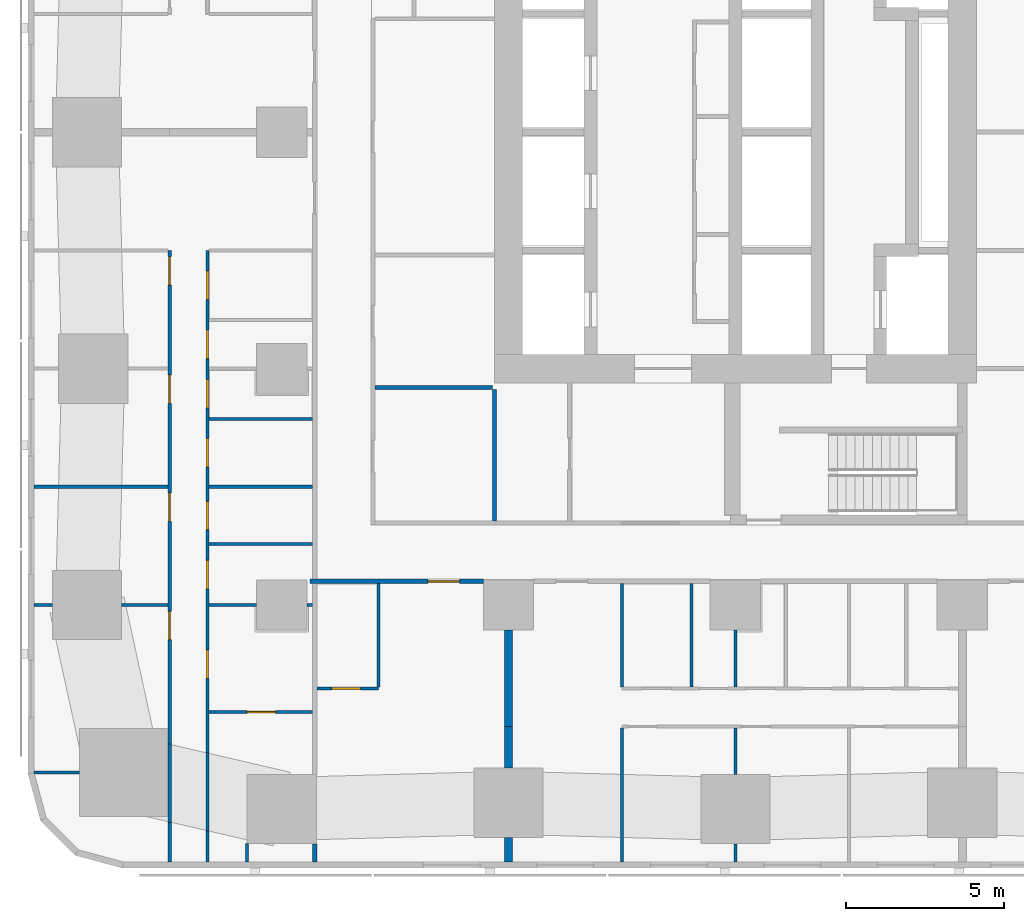
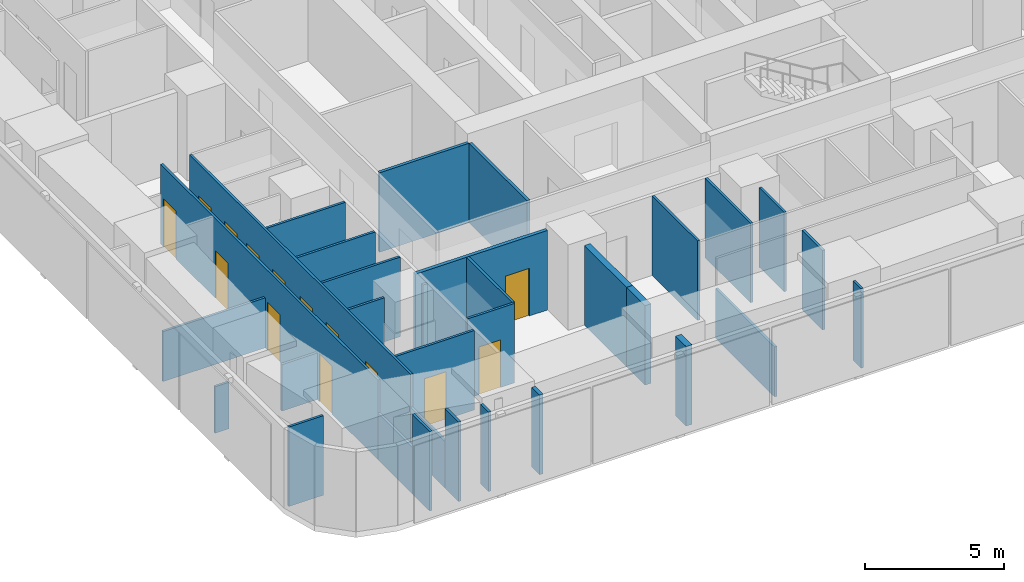
# One storey, part 2 of 15: 32 walls, 14 doors, 14 openings.
"""IFC4 building model written with IfcOpenShell, lengths in metres."""

from ifc_helpers import new_model, si_unit, direction, frame, frame_2d, origin, place, context, subcontext, project, spatial, rectangle, extrude, material, layer, layer_set, type_object, element, fill, save


model = new_model("IFC4")

# Units and contexts
model_context = context("Model", 3, precision=1e-05, world=origin(), true_north=direction((0.0, 1.0)))
body_context = subcontext(model_context, "Body", "Model", "MODEL_VIEW")
ifc_project = project(units=[si_unit("LENGTHUNIT", "METRE"), si_unit("AREAUNIT", "SQUARE_METRE"), si_unit("VOLUMEUNIT", "CUBIC_METRE"), si_unit("PLANEANGLEUNIT", "RADIAN"), si_unit("MASSUNIT", "GRAM", prefix="KILO")], contexts=[model_context])

# Site, building, storey
site_placement = place(None, origin())
site = spatial("IfcSite", under=ifc_project, at=site_placement, CompositionType="ELEMENT")
building_placement = place(site_placement, origin())
building = spatial("IfcBuilding", under=site, at=building_placement, Name="Sheger Commons Tower", CompositionType="ELEMENT")
storey_placement = place(building_placement, frame((0.0, 0.0, 85.39990234375)))
storey = spatial("IfcBuildingStorey", under=building, at=storey_placement, Name="L21", CompositionType="ELEMENT", Elevation=85.39990234375)

# Wall
ifc_material_1 = material(Name="Hollow concrete block masonry, skimmed both sides", Category="masonry")
ifc_layer_1 = layer(ifc_material_1, 0.14990234375)
ifc_layer_set_1 = layer_set([ifc_layer_1], Name="CORRIDOR WALL 150")
wall_type_1 = type_object("IfcWallType", Name="CORRIDOR WALL 150", PredefinedType="SOLIDWALL", material=ifc_layer_set_1)
wall_1_placement = place(storey_placement, frame((8.25, -0.64990234375, 0.0), z_axis=(0.0, 0.0, 1.0), x_axis=(0.0, 1.0, 0.0)))
element("IfcWall", 1, at=wall_1_placement, inside=storey, type_object=wall_type_1, Name="Corridor wall L21", PredefinedType="SOLIDWALL", context=body_context, shape_type="SweptSolid", body=[
    extrude(rectangle(XDim=0.573974609375, YDim=0.14990234375, at=frame_2d((0.287109375, 0.0))), origin(), (0.0, 0.0, 1.0), 3.5),
])

# Wall, opening, door
wall_2_placement = place(storey_placement, frame((13.59912109375, 8.25, 0.0), z_axis=(0.0, 0.0, 1.0), x_axis=(-1.0, 0.0, 0.0)))
wall_2 = element("IfcWall", 2, at=wall_2_placement, inside=storey, type_object=wall_type_1, Name="Corridor wall L21", PredefinedType="SOLIDWALL", context=body_context, shape_type="SweptSolid", body=[
    extrude(rectangle(XDim=5.4990234375, YDim=0.14990234375, at=frame_2d((2.74951171875, 0.0))), origin(), (0.0, 0.0, 1.0), 3.5),
])
opening_1_placement = place(wall_2_placement, frame((0.760009765625, 0.0, 0.0)))
opening_1 = element("IfcOpeningElement", 3, at=opening_1_placement, cuts=wall_2, Name="Opening D1", PredefinedType="OPENING", context=body_context, shape_type="SweptSolid", body=[
    extrude(rectangle(XDim=1.0, YDim=2.10009765625, at=frame_2d((0.5, 1.050048828125))), frame((0.0, 0.0849609375, 0.0), z_axis=(0.0, -1.0, 0.0), x_axis=(1.0, 0.0, 0.0)), (0.0, 0.0, 1.0), 0.169921875),
])
ifc_material_2 = material(Name="Steel door set, fire rated", Category="steel")
door_type_1 = type_object("IfcDoorType", Name="FLAT ENTRANCE DOOR 1000x2100", OperationType="NOTDEFINED", PredefinedType="DOOR", material=ifc_material_2)
door_1_placement = place(opening_1_placement, origin())
door_1 = element("IfcDoor", 4, at=door_1_placement, inside=storey, type_object=door_type_1, Name="Flat entrance door", OperationType="SINGLE_SWING_LEFT", OverallHeight=2.10009765625, OverallWidth=1.0, PredefinedType="DOOR", context=body_context, shape_type="SweptSolid", body=[
    extrude(rectangle(XDim=1.0, YDim=2.10009765625, at=frame_2d((0.5, 1.050048828125))), frame((0.0, 0.02490234375, 0.0), z_axis=(0.0, -1.0, 0.0), x_axis=(1.0, 0.0, 0.0)), (0.0, 0.0, 1.0), 0.050048828125),
])
fill(opening_1, door_1)

# Walls
ifc_material_3 = material(Name="Dense concrete block masonry, plastered both sides (separating wall between flats)", Category="masonry")
ifc_layer_2 = layer(ifc_material_3, 0.25)
ifc_layer_set_2 = layer_set([ifc_layer_2], Name="DEMISING WALL 250")
wall_type_2 = type_object("IfcWallType", Name="DEMISING WALL 250", PredefinedType="SOLIDWALL", material=ifc_layer_set_2)
wall_3_placement = place(storey_placement, frame((14.39990234375, -0.64990234375, 0.0), z_axis=(0.0, 0.0, 1.0), x_axis=(0.0, 1.0, 0.0)))
element("IfcWall", 5, at=wall_3_placement, inside=storey, type_object=wall_type_2, Name="Demising wall L21", PredefinedType="SOLIDWALL", context=body_context, shape_type="SweptSolid", body=[
    extrude(rectangle(XDim=0.77392578125, YDim=0.25, at=frame_2d((0.386962890625, 0.0))), origin(), (0.0, 0.0, 1.0), 3.5),
])
wall_4_placement = place(storey_placement, frame((14.39990234375, 2.325927734375, 0.0), z_axis=(0.0, 0.0, 1.0), x_axis=(0.0, 1.0, 0.0)))
element("IfcWall", 6, at=wall_4_placement, inside=storey, type_object=wall_type_2, Name="Demising wall L21", PredefinedType="SOLIDWALL", context=body_context, shape_type="SweptSolid", body=[
    extrude(rectangle(XDim=1.323974609375, YDim=0.25, at=frame_2d((0.662109375, 0.0))), origin(), (0.0, 0.0, 1.0), 3.5),
])
wall_5_placement = place(storey_placement, frame((14.39990234375, 3.64990234375, 0.0), z_axis=(0.0, 0.0, 1.0), x_axis=(0.0, 1.0, 0.0)))
element("IfcWall", 7, at=wall_5_placement, inside=storey, type_object=wall_type_2, Name="Demising wall L21", PredefinedType="SOLIDWALL", context=body_context, shape_type="SweptSolid", body=[
    extrude(rectangle(XDim=3.049072265625, YDim=0.25, at=frame_2d((1.5244140625, 0.0))), origin(), (0.0, 0.0, 1.0), 3.5),
])
ifc_material_4 = material(Name="Gypsum board on steel studs", Category="steel")
ifc_layer_3 = layer(ifc_material_4, 0.10009765625)
ifc_layer_set_3 = layer_set([ifc_layer_3], Name="PARTITION 100")
wall_type_3 = type_object("IfcWallType", Name="PARTITION 100", PredefinedType="PARTITIONING", material=ifc_layer_set_3)
wall_6_placement = place(storey_placement, frame((6.10009765625, -0.64990234375, 0.0), z_axis=(0.0, 0.0, 1.0), x_axis=(0.0, 1.0, 0.0)))
element("IfcWall", 8, at=wall_6_placement, inside=storey, type_object=wall_type_3, Name="Partition L21", PredefinedType="PARTITIONING", context=body_context, shape_type="SweptSolid", body=[
    extrude(rectangle(XDim=0.574951171875, YDim=0.10009765625, at=frame_2d((0.28759765625, 0.0))), origin(), (0.0, 0.0, 1.0), 3.5),
])
wall_7_placement = place(storey_placement, frame((3.64990234375, -0.64990234375, 0.0), z_axis=(0.0, 0.0, 1.0), x_axis=(0.0, 1.0, 0.0)))
element("IfcWall", 9, at=wall_7_placement, inside=storey, type_object=wall_type_3, Name="Partition L21", PredefinedType="PARTITIONING", context=body_context, shape_type="SweptSolid", body=[
    extrude(rectangle(XDim=1.25390625, YDim=0.10009765625, at=frame_2d((0.626953125, 0.0))), origin(), (0.0, 0.0, 1.0), 3.5),
])
wall_8_placement = place(storey_placement, frame((3.64990234375, 0.60400390625, 0.0), z_axis=(0.0, 0.0, 1.0), x_axis=(0.0, 1.0, 0.0)))
element("IfcWall", 10, at=wall_8_placement, inside=storey, type_object=wall_type_3, Name="Partition L21", PredefinedType="PARTITIONING", context=body_context, shape_type="SweptSolid", body=[
    extrude(rectangle(XDim=2.486083984375, YDim=0.10009765625, at=frame_2d((1.2431640625, 0.0))), origin(), (0.0, 0.0, 1.0), 2.050048828125),
])

# Wall, openings, doors
wall_9_placement = place(storey_placement, frame((3.64990234375, 3.090087890625, 0.0), z_axis=(0.0, 0.0, 1.0), x_axis=(0.0, 1.0, 0.0)))
wall_9 = element("IfcWall", 11, at=wall_9_placement, inside=storey, type_object=wall_type_3, Name="Partition L21", PredefinedType="PARTITIONING", context=body_context, shape_type="SweptSolid", body=[
    extrude(rectangle(XDim=15.659912109375, YDim=0.10009765625, at=frame_2d((7.830078125, 0.0))), origin(), (0.0, 0.0, 1.0), 3.5),
])
opening_2_placement = place(wall_9_placement, frame((14.56005859375, 0.0, 0.0)))
opening_2 = element("IfcOpeningElement", 12, at=opening_2_placement, cuts=wall_9, Name="Opening D2", PredefinedType="OPENING", context=body_context, shape_type="SweptSolid", body=[
    extrude(rectangle(XDim=0.89990234375, YDim=2.10009765625, at=frame_2d((0.449951171875, 1.050048828125))), frame((0.0, 0.06005859375, 0.0), z_axis=(0.0, -1.0, 0.0), x_axis=(1.0, 0.0, 0.0)), (0.0, 0.0, 1.0), 0.1201171875),
])
opening_3_placement = place(wall_9_placement, frame((10.81005859375, 0.0, 0.0)))
opening_3 = element("IfcOpeningElement", 13, at=opening_3_placement, cuts=wall_9, Name="Opening D2", PredefinedType="OPENING", context=body_context, shape_type="SweptSolid", body=[
    extrude(rectangle(XDim=0.89990234375, YDim=2.10009765625, at=frame_2d((0.449951171875, 1.050048828125))), frame((0.0, 0.06005859375, 0.0), z_axis=(0.0, -1.0, 0.0), x_axis=(1.0, 0.0, 0.0)), (0.0, 0.0, 1.0), 0.1201171875),
])
opening_4_placement = place(wall_9_placement, frame((7.06005859375, 0.0, 0.0)))
opening_4 = element("IfcOpeningElement", 14, at=opening_4_placement, cuts=wall_9, Name="Opening D2", PredefinedType="OPENING", context=body_context, shape_type="SweptSolid", body=[
    extrude(rectangle(XDim=0.89990234375, YDim=2.10009765625, at=frame_2d((0.449951171875, 1.050048828125))), frame((0.0, 0.06005859375, 0.0), z_axis=(0.0, -1.0, 0.0), x_axis=(1.0, 0.0, 0.0)), (0.0, 0.0, 1.0), 0.1201171875),
])
opening_5_placement = place(wall_9_placement, frame((3.31005859375, 0.0, 0.0)))
opening_5 = element("IfcOpeningElement", 15, at=opening_5_placement, cuts=wall_9, Name="Opening D2", PredefinedType="OPENING", context=body_context, shape_type="SweptSolid", body=[
    extrude(rectangle(XDim=0.89990234375, YDim=2.10009765625, at=frame_2d((0.449951171875, 1.050048828125))), frame((0.0, 0.06005859375, 0.0), z_axis=(0.0, -1.0, 0.0), x_axis=(1.0, 0.0, 0.0)), (0.0, 0.0, 1.0), 0.1201171875),
])
ifc_material_5 = material(Name="Timber door set", Category="wood")
door_type_2 = type_object("IfcDoorType", Name="INTERNAL DOOR 900x2100", OperationType="NOTDEFINED", PredefinedType="DOOR", material=ifc_material_5)
door_2_placement = place(opening_2_placement, origin())
door_2 = element("IfcDoor", 16, at=door_2_placement, inside=storey, type_object=door_type_2, Name="Main bedroom door", OperationType="SINGLE_SWING_RIGHT", OverallHeight=2.10009765625, OverallWidth=0.89990234375, PredefinedType="DOOR", context=body_context, shape_type="SweptSolid", body=[
    extrude(rectangle(XDim=0.89990234375, YDim=2.10009765625, at=frame_2d((0.449951171875, 1.050048828125))), frame((0.0, 0.02490234375, 0.0), z_axis=(0.0, -1.0, 0.0), x_axis=(1.0, 0.0, 0.0)), (0.0, 0.0, 1.0), 0.050048828125),
])
fill(opening_2, door_2)
door_3_placement = place(opening_3_placement, origin())
door_3 = element("IfcDoor", 17, at=door_3_placement, inside=storey, type_object=door_type_2, Name="Bedroom 2 door", OperationType="SINGLE_SWING_RIGHT", OverallHeight=2.10009765625, OverallWidth=0.89990234375, PredefinedType="DOOR", context=body_context, shape_type="SweptSolid", body=[
    extrude(rectangle(XDim=0.89990234375, YDim=2.10009765625, at=frame_2d((0.449951171875, 1.050048828125))), frame((0.0, 0.02490234375, 0.0), z_axis=(0.0, -1.0, 0.0), x_axis=(1.0, 0.0, 0.0)), (0.0, 0.0, 1.0), 0.050048828125),
])
fill(opening_3, door_3)
door_4_placement = place(opening_4_placement, origin())
door_4 = element("IfcDoor", 18, at=door_4_placement, inside=storey, type_object=door_type_2, Name="Bedroom 3 door", OperationType="SINGLE_SWING_RIGHT", OverallHeight=2.10009765625, OverallWidth=0.89990234375, PredefinedType="DOOR", context=body_context, shape_type="SweptSolid", body=[
    extrude(rectangle(XDim=0.89990234375, YDim=2.10009765625, at=frame_2d((0.449951171875, 1.050048828125))), frame((0.0, 0.02490234375, 0.0), z_axis=(0.0, -1.0, 0.0), x_axis=(1.0, 0.0, 0.0)), (0.0, 0.0, 1.0), 0.050048828125),
])
fill(opening_4, door_4)
door_5_placement = place(opening_5_placement, origin())
door_5 = element("IfcDoor", 19, at=door_5_placement, inside=storey, type_object=door_type_2, Name="Bedroom 4 door", OperationType="SINGLE_SWING_RIGHT", OverallHeight=2.10009765625, OverallWidth=0.89990234375, PredefinedType="DOOR", context=body_context, shape_type="SweptSolid", body=[
    extrude(rectangle(XDim=0.89990234375, YDim=2.10009765625, at=frame_2d((0.449951171875, 1.050048828125))), frame((0.0, 0.02490234375, 0.0), z_axis=(0.0, -1.0, 0.0), x_axis=(1.0, 0.0, 0.0)), (0.0, 0.0, 1.0), 0.050048828125),
])
fill(opening_5, door_5)

# Walls
wall_10_placement = place(storey_placement, frame((4.85009765625, -0.64990234375, 0.0), z_axis=(0.0, 0.0, 1.0), x_axis=(0.0, 1.0, 0.0)))
element("IfcWall", 20, at=wall_10_placement, inside=storey, type_object=wall_type_3, Name="Partition L21", PredefinedType="PARTITIONING", context=body_context, shape_type="SweptSolid", body=[
    extrude(rectangle(XDim=0.975830078125, YDim=0.10009765625, at=frame_2d((0.48779296875, 0.0))), origin(), (0.0, 0.0, 1.0), 3.5),
])
wall_11_placement = place(storey_placement, frame((4.85009765625, 0.325927734375, 0.0), z_axis=(0.0, 0.0, 1.0), x_axis=(0.0, 1.0, 0.0)))
element("IfcWall", 21, at=wall_11_placement, inside=storey, type_object=wall_type_3, Name="Partition L21", PredefinedType="PARTITIONING", context=body_context, shape_type="SweptSolid", body=[
    extrude(rectangle(XDim=2.486083984375, YDim=0.10009765625, at=frame_2d((1.2431640625, 0.0))), origin(), (0.0, 0.0, 1.0), 2.050048828125),
])

# Wall, openings, doors
wall_12_placement = place(storey_placement, frame((4.85009765625, 2.81201171875, 0.0), z_axis=(0.0, 0.0, 1.0), x_axis=(0.0, 1.0, 0.0)))
wall_12 = element("IfcWall", 22, at=wall_12_placement, inside=storey, type_object=wall_type_3, Name="Partition L21", PredefinedType="PARTITIONING", context=body_context, shape_type="SweptSolid", body=[
    extrude(rectangle(XDim=15.93798828125, YDim=0.10009765625, at=frame_2d((7.968994140625, 0.0))), origin(), (0.0, 0.0, 1.0), 3.5),
])
opening_6_placement = place(wall_12_placement, frame((14.383056640625, 0.0, 0.0)))
opening_6 = element("IfcOpeningElement", 23, at=opening_6_placement, cuts=wall_12, Name="Opening D2", PredefinedType="OPENING", context=body_context, shape_type="SweptSolid", body=[
    extrude(rectangle(XDim=0.89990234375, YDim=2.10009765625, at=frame_2d((0.449951171875, 1.050048828125))), frame((0.0, 0.06005859375, 0.0), z_axis=(0.0, -1.0, 0.0), x_axis=(1.0, 0.0, 0.0)), (0.0, 0.0, 1.0), 0.1201171875),
])
opening_7_placement = place(wall_12_placement, frame((10.93798828125, 0.0, 0.0)))
opening_7 = element("IfcOpeningElement", 24, at=opening_7_placement, cuts=wall_12, Name="Opening D2", PredefinedType="OPENING", context=body_context, shape_type="SweptSolid", body=[
    extrude(rectangle(XDim=0.89990234375, YDim=2.10009765625, at=frame_2d((0.449951171875, 1.050048828125))), frame((0.0, 0.06005859375, 0.0), z_axis=(0.0, -1.0, 0.0), x_axis=(1.0, 0.0, 0.0)), (0.0, 0.0, 1.0), 0.1201171875),
])
opening_8_placement = place(wall_12_placement, frame((7.077880859375, 0.0, 0.0)))
opening_8 = element("IfcOpeningElement", 25, at=opening_8_placement, cuts=wall_12, Name="Opening D2", PredefinedType="OPENING", context=body_context, shape_type="SweptSolid", body=[
    extrude(rectangle(XDim=0.89990234375, YDim=2.10009765625, at=frame_2d((0.449951171875, 1.050048828125))), frame((0.0, 0.06005859375, 0.0), z_axis=(0.0, -1.0, 0.0), x_axis=(1.0, 0.0, 0.0)), (0.0, 0.0, 1.0), 0.1201171875),
])
opening_9_placement = place(wall_12_placement, frame((2.363037109375, 0.0, 0.0)))
opening_9 = element("IfcOpeningElement", 26, at=opening_9_placement, cuts=wall_12, Name="Opening D2", PredefinedType="OPENING", context=body_context, shape_type="SweptSolid", body=[
    extrude(rectangle(XDim=0.89990234375, YDim=2.10009765625, at=frame_2d((0.449951171875, 1.050048828125))), frame((0.0, 0.06005859375, 0.0), z_axis=(0.0, -1.0, 0.0), x_axis=(1.0, 0.0, 0.0)), (0.0, 0.0, 1.0), 0.1201171875),
])
opening_10_placement = place(wall_12_placement, frame((12.508056640625, 0.0, 0.0)))
opening_10 = element("IfcOpeningElement", 27, at=opening_10_placement, cuts=wall_12, Name="Opening D2", PredefinedType="OPENING", context=body_context, shape_type="SweptSolid", body=[
    extrude(rectangle(XDim=0.89990234375, YDim=2.10009765625, at=frame_2d((0.449951171875, 1.050048828125))), frame((0.0, 0.06005859375, 0.0), z_axis=(0.0, -1.0, 0.0), x_axis=(1.0, 0.0, 0.0)), (0.0, 0.0, 1.0), 0.1201171875),
])
opening_11_placement = place(wall_12_placement, frame((9.06298828125, 0.0, 0.0)))
opening_11 = element("IfcOpeningElement", 28, at=opening_11_placement, cuts=wall_12, Name="Opening D2", PredefinedType="OPENING", context=body_context, shape_type="SweptSolid", body=[
    extrude(rectangle(XDim=0.89990234375, YDim=2.10009765625, at=frame_2d((0.449951171875, 1.050048828125))), frame((0.0, 0.06005859375, 0.0), z_axis=(0.0, -1.0, 0.0), x_axis=(1.0, 0.0, 0.0)), (0.0, 0.0, 1.0), 0.1201171875),
])
opening_12_placement = place(wall_12_placement, frame((5.202880859375, 0.0, 0.0)))
opening_12 = element("IfcOpeningElement", 29, at=opening_12_placement, cuts=wall_12, Name="Opening D2", PredefinedType="OPENING", context=body_context, shape_type="SweptSolid", body=[
    extrude(rectangle(XDim=0.89990234375, YDim=2.10009765625, at=frame_2d((0.449951171875, 1.050048828125))), frame((0.0, 0.06005859375, 0.0), z_axis=(0.0, -1.0, 0.0), x_axis=(1.0, 0.0, 0.0)), (0.0, 0.0, 1.0), 0.1201171875),
])
door_6_placement = place(opening_6_placement, origin())
door_6 = element("IfcDoor", 30, at=door_6_placement, inside=storey, type_object=door_type_2, Name="Bathroom door", OperationType="SINGLE_SWING_LEFT", OverallHeight=2.10009765625, OverallWidth=0.89990234375, PredefinedType="DOOR", context=body_context, shape_type="SweptSolid", body=[
    extrude(rectangle(XDim=0.89990234375, YDim=2.10009765625, at=frame_2d((0.449951171875, 1.050048828125))), frame((0.0, 0.02490234375, 0.0), z_axis=(0.0, -1.0, 0.0), x_axis=(1.0, 0.0, 0.0)), (0.0, 0.0, 1.0), 0.050048828125),
])
fill(opening_6, door_6)
door_7_placement = place(opening_7_placement, origin())
door_7 = element("IfcDoor", 31, at=door_7_placement, inside=storey, type_object=door_type_2, Name="Shower room door", OperationType="SINGLE_SWING_RIGHT", OverallHeight=2.10009765625, OverallWidth=0.89990234375, PredefinedType="DOOR", context=body_context, shape_type="SweptSolid", body=[
    extrude(rectangle(XDim=0.89990234375, YDim=2.10009765625, at=frame_2d((0.449951171875, 1.050048828125))), frame((0.0, 0.02490234375, 0.0), z_axis=(0.0, -1.0, 0.0), x_axis=(1.0, 0.0, 0.0)), (0.0, 0.0, 1.0), 0.050048828125),
])
fill(opening_7, door_7)
door_8_placement = place(opening_8_placement, origin())
door_8 = element("IfcDoor", 32, at=door_8_placement, inside=storey, type_object=door_type_2, Name="Laundry room door", OperationType="SINGLE_SWING_RIGHT", OverallHeight=2.10009765625, OverallWidth=0.89990234375, PredefinedType="DOOR", context=body_context, shape_type="SweptSolid", body=[
    extrude(rectangle(XDim=0.89990234375, YDim=2.10009765625, at=frame_2d((0.449951171875, 1.050048828125))), frame((0.0, 0.02490234375, 0.0), z_axis=(0.0, -1.0, 0.0), x_axis=(1.0, 0.0, 0.0)), (0.0, 0.0, 1.0), 0.050048828125),
])
fill(opening_8, door_8)
door_9_placement = place(opening_9_placement, origin())
door_9 = element("IfcDoor", 33, at=door_9_placement, inside=storey, type_object=door_type_2, Name="Store and laundry door", OperationType="SINGLE_SWING_RIGHT", OverallHeight=2.10009765625, OverallWidth=0.89990234375, PredefinedType="DOOR", context=body_context, shape_type="SweptSolid", body=[
    extrude(rectangle(XDim=0.89990234375, YDim=2.10009765625, at=frame_2d((0.449951171875, 1.050048828125))), frame((0.0, 0.02490234375, 0.0), z_axis=(0.0, -1.0, 0.0), x_axis=(1.0, 0.0, 0.0)), (0.0, 0.0, 1.0), 0.050048828125),
])
fill(opening_9, door_9)
door_10_placement = place(opening_10_placement, origin())
door_10 = element("IfcDoor", 34, at=door_10_placement, inside=storey, type_object=door_type_2, Name="Store door", OperationType="SINGLE_SWING_LEFT", OverallHeight=2.10009765625, OverallWidth=0.89990234375, PredefinedType="DOOR", context=body_context, shape_type="SweptSolid", body=[
    extrude(rectangle(XDim=0.89990234375, YDim=2.10009765625, at=frame_2d((0.449951171875, 1.050048828125))), frame((0.0, 0.02490234375, 0.0), z_axis=(0.0, -1.0, 0.0), x_axis=(1.0, 0.0, 0.0)), (0.0, 0.0, 1.0), 0.050048828125),
])
fill(opening_10, door_10)
door_11_placement = place(opening_11_placement, origin())
door_11 = element("IfcDoor", 35, at=door_11_placement, inside=storey, type_object=door_type_2, Name="Store door", OperationType="SINGLE_SWING_LEFT", OverallHeight=2.10009765625, OverallWidth=0.89990234375, PredefinedType="DOOR", context=body_context, shape_type="SweptSolid", body=[
    extrude(rectangle(XDim=0.89990234375, YDim=2.10009765625, at=frame_2d((0.449951171875, 1.050048828125))), frame((0.0, 0.02490234375, 0.0), z_axis=(0.0, -1.0, 0.0), x_axis=(1.0, 0.0, 0.0)), (0.0, 0.0, 1.0), 0.050048828125),
])
fill(opening_11, door_11)
door_12_placement = place(opening_12_placement, origin())
door_12 = element("IfcDoor", 36, at=door_12_placement, inside=storey, type_object=door_type_2, Name="Store door", OperationType="SINGLE_SWING_RIGHT", OverallHeight=2.10009765625, OverallWidth=0.89990234375, PredefinedType="DOOR", context=body_context, shape_type="SweptSolid", body=[
    extrude(rectangle(XDim=0.89990234375, YDim=2.10009765625, at=frame_2d((0.449951171875, 1.050048828125))), frame((0.0, 0.02490234375, 0.0), z_axis=(0.0, -1.0, 0.0), x_axis=(1.0, 0.0, 0.0)), (0.0, 0.0, 1.0), 0.050048828125),
])
fill(opening_12, door_12)

# Walls
wall_13_placement = place(storey_placement, frame((-0.64990234375, 2.18603515625, 0.0), z_axis=(0.0, 0.0, 1.0), x_axis=(1.0, 0.0, 0.0)))
element("IfcWall", 37, at=wall_13_placement, inside=storey, type_object=wall_type_3, Name="Partition L21", PredefinedType="PARTITIONING", context=body_context, shape_type="SweptSolid", body=[
    extrude(rectangle(XDim=1.434814453125, YDim=0.10009765625, at=frame_2d((0.71728515625, 0.0))), origin(), (0.0, 0.0, 1.0), 3.5),
])
wall_14_placement = place(storey_placement, frame((-0.64990234375, 7.5, 0.0), z_axis=(0.0, 0.0, 1.0), x_axis=(1.0, 0.0, 0.0)))
element("IfcWall", 38, at=wall_14_placement, inside=storey, type_object=wall_type_3, Name="Partition L21", PredefinedType="PARTITIONING", context=body_context, shape_type="SweptSolid", body=[
    extrude(rectangle(XDim=0.573974609375, YDim=0.10009765625, at=frame_2d((0.287109375, 0.0))), origin(), (0.0, 0.0, 1.0), 2.050048828125),
])
wall_15_placement = place(storey_placement, frame((2.1259765625, 7.5, 0.0), z_axis=(0.0, 0.0, 1.0), x_axis=(1.0, 0.0, 0.0)))
element("IfcWall", 39, at=wall_15_placement, inside=storey, type_object=wall_type_3, Name="Partition L21", PredefinedType="PARTITIONING", context=body_context, shape_type="SweptSolid", body=[
    extrude(rectangle(XDim=1.47412109375, YDim=0.10009765625, at=frame_2d((0.737060546875, 0.0))), origin(), (0.0, 0.0, 1.0), 2.050048828125),
])
wall_16_placement = place(storey_placement, frame((-0.64990234375, 11.25, 0.0), z_axis=(0.0, 0.0, 1.0), x_axis=(1.0, 0.0, 0.0)))
element("IfcWall", 40, at=wall_16_placement, inside=storey, type_object=wall_type_3, Name="Partition L21", PredefinedType="PARTITIONING", context=body_context, shape_type="SweptSolid", body=[
    extrude(rectangle(XDim=4.25, YDim=0.10009765625, at=frame_2d((2.125, 0.0))), origin(), (0.0, 0.0, 1.0), 2.2001953125),
])
wall_17_placement = place(storey_placement, frame((4.89990234375, 7.5, 0.0), z_axis=(0.0, 0.0, 1.0), x_axis=(1.0, 0.0, 0.0)))
element("IfcWall", 41, at=wall_17_placement, inside=storey, type_object=wall_type_3, Name="Partition L21", PredefinedType="PARTITIONING", context=body_context, shape_type="SweptSolid", body=[
    extrude(rectangle(XDim=1.4990234375, YDim=0.10009765625, at=frame_2d((0.74951171875, 0.0))), origin(), (0.0, 0.0, 1.0), 3.5),
])
wall_18_placement = place(storey_placement, frame((8.0009765625, 7.5, 0.0), z_axis=(0.0, 0.0, 1.0), x_axis=(1.0, 0.0, 0.0)))
element("IfcWall", 42, at=wall_18_placement, inside=storey, type_object=wall_type_3, Name="Partition L21", PredefinedType="PARTITIONING", context=body_context, shape_type="SweptSolid", body=[
    extrude(rectangle(XDim=0.174072265625, YDim=0.10009765625, at=frame_2d((0.0869140625, 0.0))), origin(), (0.0, 0.0, 1.0), 3.5),
])
for number, where, z_axis, x_axis, name in (
    (43, (4.89990234375, 11.25, 0.0), (0.0, 0.0, 1.0), (1.0, 0.0, 0.0), "Partition L21"),
    (44, (4.89990234375, 13.39990234375, 0.0), (0.0, 0.0, 1.0), (1.0, 0.0, 0.0), "Partition L21"),
    (45, (4.89990234375, 9.429931640625, 0.0), (0.0, 0.0, 1.0), (1.0, 0.0, 0.0), "Partition L21"),
):
    element("IfcWall", number, at=place(storey_placement, frame(where, z_axis=z_axis, x_axis=x_axis)), inside=storey, type_object=wall_type_3, Name=name, PredefinedType="PARTITIONING", context=body_context, shape_type="SweptSolid", body=[
        extrude(rectangle(XDim=3.275146484375, YDim=0.10009765625, at=frame_2d((1.6376953125, 0.0))), origin(), (0.0, 0.0, 1.0), 3.5),
    ])

# Wall, opening, door
wall_19_placement = place(storey_placement, frame((10.279052734375, 4.85009765625, 0.0), z_axis=(0.0, 0.0, 1.0), x_axis=(-1.0, 0.0, 0.0)))
wall_19 = element("IfcWall", 46, at=wall_19_placement, inside=storey, type_object=wall_type_3, Name="Partition L21", PredefinedType="PARTITIONING", context=body_context, shape_type="SweptSolid", body=[
    extrude(rectangle(XDim=1.9541015625, YDim=0.10009765625, at=frame_2d((0.97705078125, 0.0))), origin(), (0.0, 0.0, 1.0), 3.5),
])
opening_13_placement = place(wall_19_placement, frame((0.5791015625, 0.0, 0.0)))
opening_13 = element("IfcOpeningElement", 47, at=opening_13_placement, cuts=wall_19, Name="Opening D2", PredefinedType="OPENING", context=body_context, shape_type="SweptSolid", body=[
    extrude(rectangle(XDim=0.89990234375, YDim=2.10009765625, at=frame_2d((0.449951171875, 1.050048828125))), frame((0.0, 0.06005859375, 0.0), z_axis=(0.0, -1.0, 0.0), x_axis=(1.0, 0.0, 0.0)), (0.0, 0.0, 1.0), 0.1201171875),
])
door_13_placement = place(opening_13_placement, origin())
door_13 = element("IfcDoor", 48, at=door_13_placement, inside=storey, type_object=door_type_2, Name="Shower room door", OperationType="SINGLE_SWING_LEFT", OverallHeight=2.10009765625, OverallWidth=0.89990234375, PredefinedType="DOOR", context=body_context, shape_type="SweptSolid", body=[
    extrude(rectangle(XDim=0.89990234375, YDim=2.10009765625, at=frame_2d((0.449951171875, 1.050048828125))), frame((0.0, 0.02490234375, 0.0), z_axis=(0.0, -1.0, 0.0), x_axis=(1.0, 0.0, 0.0)), (0.0, 0.0, 1.0), 0.050048828125),
])
fill(opening_13, door_13)

# Walls
wall_20_placement = place(storey_placement, frame((10.279052734375, 4.89990234375, 0.0), z_axis=(0.0, 0.0, 1.0), x_axis=(0.0, 1.0, 0.0)))
element("IfcWall", 49, at=wall_20_placement, inside=storey, type_object=wall_type_3, Name="Partition L21", PredefinedType="PARTITIONING", context=body_context, shape_type="SweptSolid", body=[
    extrude(rectangle(XDim=3.275146484375, YDim=0.10009765625, at=frame_2d((1.6376953125, 0.0))), origin(), (0.0, 0.0, 1.0), 3.5),
])
wall_21_placement = place(storey_placement, frame((18.0, -0.64990234375, 0.0), z_axis=(0.0, 0.0, 1.0), x_axis=(0.0, 1.0, 0.0)))
element("IfcWall", 50, at=wall_21_placement, inside=storey, type_object=wall_type_3, Name="Partition L21", PredefinedType="PARTITIONING", context=body_context, shape_type="SweptSolid", body=[
    extrude(rectangle(XDim=4.25, YDim=0.10009765625, at=frame_2d((2.125, 0.0))), origin(), (0.0, 0.0, 1.0), 2.2001953125),
])
wall_22_placement = place(storey_placement, frame((21.60009765625, -0.64990234375, 0.0), z_axis=(0.0, 0.0, 1.0), x_axis=(0.0, 1.0, 0.0)))
element("IfcWall", 51, at=wall_22_placement, inside=storey, type_object=wall_type_3, Name="Partition L21", PredefinedType="PARTITIONING", context=body_context, shape_type="SweptSolid", body=[
    extrude(rectangle(XDim=0.573974609375, YDim=0.10009765625, at=frame_2d((0.287109375, 0.0))), origin(), (0.0, 0.0, 1.0), 3.5),
])
wall_23_placement = place(storey_placement, frame((21.60009765625, 2.1259765625, 0.0), z_axis=(0.0, 0.0, 1.0), x_axis=(0.0, 1.0, 0.0)))
element("IfcWall", 52, at=wall_23_placement, inside=storey, type_object=wall_type_3, Name="Partition L21", PredefinedType="PARTITIONING", context=body_context, shape_type="SweptSolid", body=[
    extrude(rectangle(XDim=1.47412109375, YDim=0.10009765625, at=frame_2d((0.737060546875, 0.0))), origin(), (0.0, 0.0, 1.0), 3.5),
])
wall_24_placement = place(storey_placement, frame((18.0, 4.89990234375, 0.0), z_axis=(0.0, 0.0, 1.0), x_axis=(0.0, 1.0, 0.0)))
element("IfcWall", 53, at=wall_24_placement, inside=storey, type_object=wall_type_3, Name="Partition L21", PredefinedType="PARTITIONING", context=body_context, shape_type="SweptSolid", body=[
    extrude(rectangle(XDim=3.275146484375, YDim=0.10009765625, at=frame_2d((1.6376953125, 0.0))), origin(), (0.0, 0.0, 1.0), 3.5),
])
wall_25_placement = place(storey_placement, frame((21.60009765625, 4.89990234375, 0.0), z_axis=(0.0, 0.0, 1.0), x_axis=(0.0, 1.0, 0.0)))
element("IfcWall", 54, at=wall_25_placement, inside=storey, type_object=wall_type_3, Name="Partition L21", PredefinedType="PARTITIONING", context=body_context, shape_type="SweptSolid", body=[
    extrude(rectangle(XDim=1.799072265625, YDim=0.10009765625, at=frame_2d((0.8994140625, 0.0))), origin(), (0.0, 0.0, 1.0), 3.5),
])
wall_26_placement = place(storey_placement, frame((20.2099609375, 4.89990234375, 0.0), z_axis=(0.0, 0.0, 1.0), x_axis=(0.0, 1.0, 0.0)))
element("IfcWall", 55, at=wall_26_placement, inside=storey, type_object=wall_type_3, Name="Partition L21", PredefinedType="PARTITIONING", context=body_context, shape_type="SweptSolid", body=[
    extrude(rectangle(XDim=3.275146484375, YDim=0.10009765625, at=frame_2d((1.6376953125, 0.0))), origin(), (0.0, 0.0, 1.0), 3.5),
])

# Wall, opening, door
wall_27_placement = place(storey_placement, frame((8.175048828125, 4.10009765625, 0.0), z_axis=(0.0, 0.0, 1.0), x_axis=(-1.0, 0.0, 0.0)))
wall_27 = element("IfcWall", 56, at=wall_27_placement, inside=storey, type_object=wall_type_3, Name="Partition L21", PredefinedType="PARTITIONING", context=body_context, shape_type="SweptSolid", body=[
    extrude(rectangle(XDim=3.275146484375, YDim=0.10009765625, at=frame_2d((1.6376953125, 0.0))), origin(), (0.0, 0.0, 1.0), 3.5),
])
opening_14_placement = place(wall_27_placement, frame((1.175048828125, 0.0, 0.0)))
opening_14 = element("IfcOpeningElement", 57, at=opening_14_placement, cuts=wall_27, Name="Opening D2", PredefinedType="OPENING", context=body_context, shape_type="SweptSolid", body=[
    extrude(rectangle(XDim=0.89990234375, YDim=2.10009765625, at=frame_2d((0.449951171875, 1.050048828125))), frame((0.0, 0.06005859375, 0.0), z_axis=(0.0, -1.0, 0.0), x_axis=(1.0, 0.0, 0.0)), (0.0, 0.0, 1.0), 0.1201171875),
])
door_14_placement = place(opening_14_placement, origin())
door_14 = element("IfcDoor", 58, at=door_14_placement, inside=storey, type_object=door_type_2, Name="Store door", OperationType="SINGLE_SWING_RIGHT", OverallHeight=2.10009765625, OverallWidth=0.89990234375, PredefinedType="DOOR", context=body_context, shape_type="SweptSolid", body=[
    extrude(rectangle(XDim=0.89990234375, YDim=2.10009765625, at=frame_2d((0.449951171875, 1.050048828125))), frame((0.0, 0.02490234375, 0.0), z_axis=(0.0, -1.0, 0.0), x_axis=(1.0, 0.0, 0.0)), (0.0, 0.0, 1.0), 0.050048828125),
])
fill(opening_14, door_14)

# Walls
ifc_material_6 = material(Name="Gypsum board on steel studs, two layers each side, fire rated", Category="steel")
ifc_layer_4 = layer(ifc_material_6, 0.125)
ifc_layer_set_4 = layer_set([ifc_layer_4], Name="SERVICE WALL 125")
wall_type_4 = type_object("IfcWallType", Name="SERVICE WALL 125", PredefinedType="PARTITIONING", material=ifc_layer_set_4)
wall_28_placement = place(storey_placement, frame((10.1630859375, 14.39990234375, 0.0), z_axis=(0.0, 0.0, 1.0), x_axis=(1.0, 0.0, 0.0)))
element("IfcWall", 59, at=wall_28_placement, inside=storey, type_object=wall_type_4, Name="Service room wall L21", PredefinedType="PARTITIONING", context=body_context, shape_type="SweptSolid", body=[
    extrude(rectangle(XDim=3.724853515625, YDim=0.125, at=frame_2d((1.8623046875, 0.0))), origin(), (0.0, 0.0, 1.0), 3.5),
])
wall_29_placement = place(storey_placement, frame((13.949951171875, 10.1630859375, 0.0), z_axis=(0.0, 0.0, 1.0), x_axis=(0.0, 1.0, 0.0)))
element("IfcWall", 60, at=wall_29_placement, inside=storey, type_object=wall_type_4, Name="Service room wall L21", PredefinedType="PARTITIONING", context=body_context, shape_type="SweptSolid", body=[
    extrude(rectangle(XDim=4.1748046875, YDim=0.125, at=frame_2d((2.08740234375, 0.0))), origin(), (0.0, 0.0, 1.0), 3.5),
])

save(model, "model.ifc")
